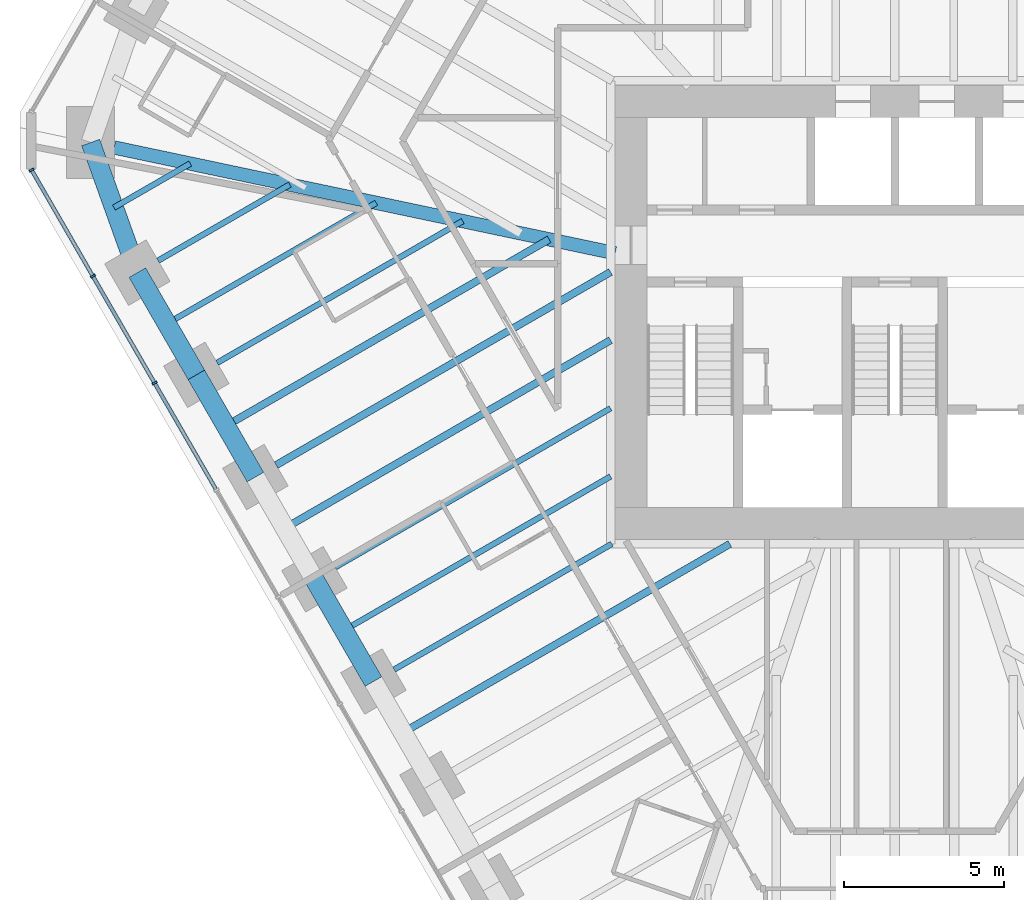
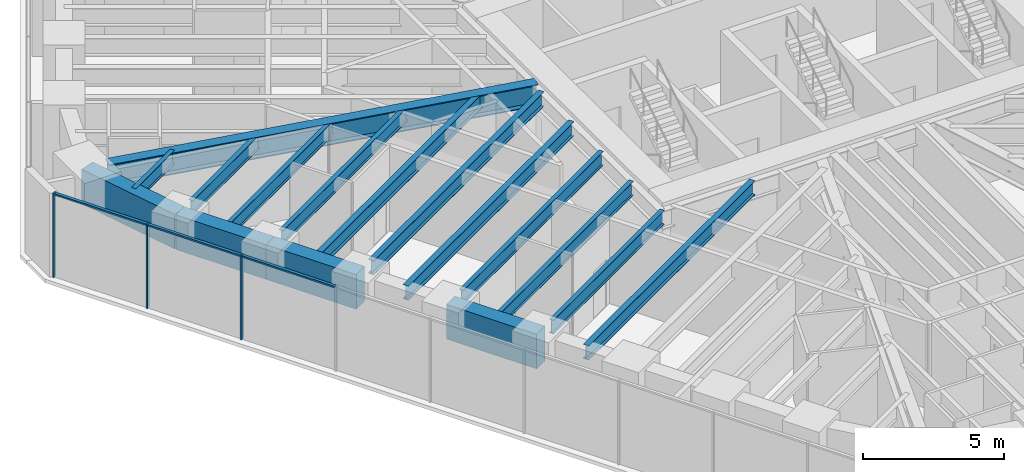
# One storey, part 3 of 16: 16 beams, 6 members, 1 element without a shape of its own.
"""IFC4 building model written with IfcOpenShell, lengths in metres."""

from ifc_helpers import new_model, si_unit, direction, frame, origin, origin_2d, place, context, subcontext, project, spatial, rectangle, i_section, extrude, material, material_profile, profile_set, type_object, element, aggregate, save


model = new_model("IFC4")

# Units and contexts
model_context = context("Model", 3, precision=1e-05, world=origin(), true_north=direction((0.0, 1.0)))
body_context = subcontext(model_context, "Body", "Model", "MODEL_VIEW")
ifc_project = project(units=[si_unit("LENGTHUNIT", "METRE"), si_unit("AREAUNIT", "SQUARE_METRE"), si_unit("VOLUMEUNIT", "CUBIC_METRE"), si_unit("PLANEANGLEUNIT", "RADIAN"), si_unit("MASSUNIT", "GRAM", prefix="KILO")], contexts=[model_context])

# Site, building, storey
site_placement = place(None, origin())
site = spatial("IfcSite", under=ifc_project, at=site_placement, CompositionType="ELEMENT")
building_placement = place(site_placement, origin())
building = spatial("IfcBuilding", under=site, at=building_placement, Name="Sandreach Pilgrim Tower", CompositionType="ELEMENT")
storey_placement = place(building_placement, frame((0.0, 0.0, 209.800048828125)))
storey = spatial("IfcBuildingStorey", under=building, at=storey_placement, Name="L52", CompositionType="ELEMENT", Elevation=209.800048828125)

# Curtain wall, members
ifc_material_1 = material(Name="Aluminium framed curtain wall", Category="aluminium")
curtain_wall_type = type_object("IfcCurtainWallType", Name="Upper hotel tower curtain wall", PredefinedType="NOTDEFINED", material=ifc_material_1)
curtain_wall_placement = place(storey_placement, origin())
curtain_wall = element("IfcCurtainWall", 1, at=curtain_wall_placement, inside=storey, type_object=curtain_wall_type, Name="CW-3 L52 SW", PredefinedType="NOTDEFINED")
ifc_material_2 = material(Name="Aluminium extrusion", Category="aluminium")
ifc_material_profile_1 = material_profile(ifc_material_2, rectangle(XDim=0.06494140625, YDim=0.159912109375, at=origin_2d()), Name="CW-3M 65X160")
ifc_profile_set_1 = profile_set([ifc_material_profile_1], Name="Aluminium extrusion")
member_type_1 = type_object("IfcMemberType", Name="CW-3 mullion", PredefinedType="MULLION", material=ifc_profile_set_1)
member_1_placement = place(storey_placement, frame((-23.15576171875, -2.21337890625, 0.0), z_axis=(0.0, 0.0, 1.0), x_axis=(-0.5, 0.866025403784, 0.0)))
member_1 = element("IfcMember", 2, at=member_1_placement, type_object=member_type_1, Name="CW-3 mullion 8", PredefinedType="MULLION", context=body_context, shape_type="SweptSolid", body=[
    extrude(rectangle(XDim=0.06494140625, YDim=0.159912109375, at=origin_2d()), origin(), (0.0, 0.0, 1.0), 3.639892578125),
])
member_2_placement = place(storey_placement, frame((-25.087890625, 1.13330078125, 0.0), z_axis=(0.0, 0.0, 1.0), x_axis=(-0.5, 0.866025403784, 0.0)))
member_2 = element("IfcMember", 3, at=member_2_placement, type_object=member_type_1, Name="CW-3 mullion 9", PredefinedType="MULLION", context=body_context, shape_type="SweptSolid", body=[
    extrude(rectangle(XDim=0.06494140625, YDim=0.159912109375, at=origin_2d()), origin(), (0.0, 0.0, 1.0), 3.639892578125),
])
member_3_placement = place(storey_placement, frame((-27.00390625, 4.451904296875, 0.0), z_axis=(0.0, 0.0, 1.0), x_axis=(-0.5, 0.866025403784, 0.0)))
member_3 = element("IfcMember", 4, at=member_3_placement, type_object=member_type_1, Name="CW-3 mullion 10", PredefinedType="MULLION", context=body_context, shape_type="SweptSolid", body=[
    extrude(rectangle(XDim=0.06494140625, YDim=0.159912109375, at=origin_2d()), origin(), (0.0, 0.0, 1.0), 3.639892578125),
])
ifc_material_3 = material(Name="Aluminium extrusion", Category="aluminium")
ifc_material_profile_2 = material_profile(ifc_material_3, rectangle(XDim=0.1201171875, YDim=0.070068359375, at=origin_2d()), Name="CW-3T 120X70")
ifc_profile_set_2 = profile_set([ifc_material_profile_2], Name="Aluminium extrusion")
member_type_2 = type_object("IfcMemberType", Name="CW-3 transom", PredefinedType="USERDEFINED", material=ifc_profile_set_2)
member_4_placement = place(storey_placement, frame((-21.23974609375, -5.531982421875, 3.60498046875), z_axis=(-0.499974606132, 0.866040064445, 0.0), x_axis=(-0.866040064445, -0.499974606132, 0.0)))
member_4 = element("IfcMember", 5, at=member_4_placement, type_object=member_type_2, Name="CW-3 head transom 7", ObjectType="TRANSOM", PredefinedType="USERDEFINED", context=body_context, shape_type="SweptSolid", body=[
    extrude(rectangle(XDim=0.1201171875, YDim=0.070068359375, at=origin_2d()), origin(), (0.0, 0.0, 1.0), 3.799560546875),
])
member_5_placement = place(storey_placement, frame((-23.171875, -2.185302734375, 3.60498046875), z_axis=(-0.500022797313, 0.86601224135, 0.0), x_axis=(-0.86601224135, -0.500022797313, 0.0)))
member_5 = element("IfcMember", 6, at=member_5_placement, type_object=member_type_2, Name="CW-3 head transom 8", ObjectType="TRANSOM", PredefinedType="USERDEFINED", context=body_context, shape_type="SweptSolid", body=[
    extrude(rectangle(XDim=0.1201171875, YDim=0.070068359375, at=origin_2d()), origin(), (0.0, 0.0, 1.0), 3.799560546875),
])
member_6_placement = place(storey_placement, frame((-25.104248046875, 1.161376953125, 3.60498046875), z_axis=(-0.499944992379, 0.86605716012, 0.0), x_axis=(-0.86605716012, -0.499944992379, 0.0)))
member_6 = element("IfcMember", 7, at=member_6_placement, type_object=member_type_2, Name="CW-3 head transom 9", ObjectType="TRANSOM", PredefinedType="USERDEFINED", context=body_context, shape_type="SweptSolid", body=[
    extrude(rectangle(XDim=0.1201171875, YDim=0.070068359375, at=origin_2d()), origin(), (0.0, 0.0, 1.0), 3.76708984375),
])
aggregate(curtain_wall, [member_1, member_2, member_3, member_4, member_5, member_6])

# Beams
ifc_material_4 = material(Name="Steel ASTM A992 Grade 50", Category="steel")
ifc_material_profile_3 = material_profile(ifc_material_4, i_section(OverallWidth=0.421630859375, OverallDepth=0.937255859375, WebThickness=0.0224609375, FlangeThickness=0.039794921875, at=origin_2d()), Name="W36X282")
ifc_profile_set_3 = profile_set([ifc_material_profile_3], Name="Steel ASTM A992 Grade 50")
beam_type_1 = type_object("IfcBeamType", Name="Corner girder W36X282", PredefinedType="BEAM", material=ifc_profile_set_3)
beam_1_placement = place(storey_placement, frame((-24.422607421875, 5.156494140625, 3.17138671875), z_axis=(0.978428978804, -0.206583478132, 0.0), x_axis=(0.206583478132, 0.978428978804, 0.0)))
element("IfcBeam", 8, at=beam_1_placement, inside=storey, type_object=beam_type_1, Name="BM L52 CG35", PredefinedType="BEAM", context=body_context, shape_type="SweptSolid", body=[
    extrude(i_section(OverallWidth=0.421630859375, OverallDepth=0.937255859375, WebThickness=0.0224609375, FlangeThickness=0.039794921875, at=origin_2d()), origin(), (0.0, 0.0, 1.0), 16.01806640625),
])
ifc_material_5 = material(Name="Steel ASTM A992 Grade 50", Category="steel")
ifc_material_profile_4 = material_profile(ifc_material_5, i_section(OverallWidth=0.1787109375, OverallDepth=0.60205078125, WebThickness=0.010986328125, FlangeThickness=0.014892578125, at=origin_2d()), Name="W24X62")
ifc_profile_set_4 = profile_set([ifc_material_profile_4], Name="Steel ASTM A992 Grade 50")
beam_type_2 = type_object("IfcBeamType", Name="Floor beam W24X62", PredefinedType="BEAM", material=ifc_profile_set_4)
beam_2_placement = place(storey_placement, frame((-15.661376953125, -11.173828125, 3.3388671875), z_axis=(0.866038711524, 0.49997694961, 0.0), x_axis=(-0.49997694961, 0.866038711524, 0.0)))
element("IfcBeam", 9, at=beam_2_placement, inside=storey, type_object=beam_type_2, Name="BM L52 F30", PredefinedType="BEAM", context=body_context, shape_type="SweptSolid", body=[
    extrude(i_section(OverallWidth=0.1787109375, OverallDepth=0.60205078125, WebThickness=0.010986328125, FlangeThickness=0.014892578125, at=origin_2d()), origin(), (0.0, 0.0, 1.0), 7.861083984375),
])
beam_3_placement = place(storey_placement, frame((-17.507568359375, -7.97607421875, 3.3388671875), z_axis=(0.866027815265, 0.499995823171, 0.0), x_axis=(-0.499995823171, 0.866027815265, 0.0)))
element("IfcBeam", 10, at=beam_3_placement, inside=storey, type_object=beam_type_2, Name="BM L52 F31", PredefinedType="BEAM", context=body_context, shape_type="SweptSolid", body=[
    extrude(i_section(OverallWidth=0.1787109375, OverallDepth=0.60205078125, WebThickness=0.010986328125, FlangeThickness=0.014892578125, at=origin_2d()), origin(), (0.0, 0.0, 1.0), 9.94677734375),
])
beam_4_placement = place(storey_placement, frame((-21.2001953125, -1.58056640625, 3.3388671875), z_axis=(0.866027448082, 0.499996459156, 0.0), x_axis=(-0.499996459156, 0.866027448082, 0.0)))
element("IfcBeam", 11, at=beam_4_placement, inside=storey, type_object=beam_type_2, Name="BM L52 F33", PredefinedType="BEAM", context=body_context, shape_type="SweptSolid", body=[
    extrude(i_section(OverallWidth=0.1787109375, OverallDepth=0.60205078125, WebThickness=0.010986328125, FlangeThickness=0.014892578125, at=origin_2d()), origin(), (0.0, 0.0, 1.0), 8.86962890625),
])
beam_5_placement = place(storey_placement, frame((-23.04638671875, 1.6171875, 3.3388671875), z_axis=(0.86603347311, 0.499986023258, 0.0), x_axis=(-0.499986023258, 0.86603347311, 0.0)))
element("IfcBeam", 12, at=beam_5_placement, inside=storey, type_object=beam_type_2, Name="BM L52 F34", PredefinedType="BEAM", context=body_context, shape_type="SweptSolid", body=[
    extrude(i_section(OverallWidth=0.1787109375, OverallDepth=0.60205078125, WebThickness=0.010986328125, FlangeThickness=0.014892578125, at=origin_2d()), origin(), (0.0, 0.0, 1.0), 4.757568359375),
])
beam_6_placement = place(storey_placement, frame((-17.23388671875, -9.949951171875, 3.3388671875), z_axis=(0.866025593094, 0.499999672107, 0.0), x_axis=(-0.499999672107, 0.866025593094, 0.0)))
element("IfcBeam", 13, at=beam_6_placement, inside=storey, type_object=beam_type_2, Name="BM L52 FM30", PredefinedType="BEAM", context=body_context, shape_type="SweptSolid", body=[
    extrude(i_section(OverallWidth=0.1787109375, OverallDepth=0.60205078125, WebThickness=0.010986328125, FlangeThickness=0.014892578125, at=origin_2d()), origin(), (0.0, 0.0, 1.0), 9.630859375),
])
beam_7_placement = place(storey_placement, frame((-22.772705078125, -0.356689453125, 3.3388671875), z_axis=(0.866029704776, 0.49999255039, 0.0), x_axis=(-0.49999255039, 0.866029704776, 0.0)))
element("IfcBeam", 14, at=beam_7_placement, inside=storey, type_object=beam_type_2, Name="BM L52 FM33", PredefinedType="BEAM", context=body_context, shape_type="SweptSolid", body=[
    extrude(i_section(OverallWidth=0.1787109375, OverallDepth=0.60205078125, WebThickness=0.010986328125, FlangeThickness=0.014892578125, at=origin_2d()), origin(), (0.0, 0.0, 1.0), 7.5634765625),
])
beam_8_placement = place(storey_placement, frame((-24.42626953125, 3.27685546875, 3.3388671875), z_axis=(0.866046803606, 0.49996293259, 0.0), x_axis=(-0.49996293259, 0.866046803606, 0.0)))
element("IfcBeam", 15, at=beam_8_placement, inside=storey, type_object=beam_type_2, Name="BM L52 FM34", PredefinedType="BEAM", context=body_context, shape_type="SweptSolid", body=[
    extrude(i_section(OverallWidth=0.1787109375, OverallDepth=0.60205078125, WebThickness=0.010986328125, FlangeThickness=0.014892578125, at=origin_2d()), origin(), (0.0, 0.0, 1.0), 2.753662109375),
])
ifc_material_6 = material(Name="Steel ASTM A992 Grade 50", Category="steel")
ifc_material_profile_5 = material_profile(ifc_material_6, i_section(OverallWidth=0.23046875, OverallDepth=0.6171875, WebThickness=0.01318359375, FlangeThickness=0.022216796875, at=origin_2d()), Name="W24X94")
ifc_profile_set_5 = profile_set([ifc_material_profile_5], Name="Steel ASTM A992 Grade 50")
beam_type_3 = type_object("IfcBeamType", Name="Floor beam W24X94", PredefinedType="BEAM", material=ifc_profile_set_5)
beam_9_placement = place(storey_placement, frame((-19.353759765625, -4.7783203125, 3.331298828125), z_axis=(0.866026713419, 0.49999773164, 0.0), x_axis=(-0.49999773164, 0.866026713419, 0.0)))
element("IfcBeam", 16, at=beam_9_placement, inside=storey, type_object=beam_type_3, Name="BM L52 F32", PredefinedType="BEAM", context=body_context, shape_type="SweptSolid", body=[
    extrude(i_section(OverallWidth=0.23046875, OverallDepth=0.6171875, WebThickness=0.01318359375, FlangeThickness=0.022216796875, at=origin_2d()), origin(), (0.0, 0.0, 1.0), 12.07861328125),
])
beam_10_placement = place(storey_placement, frame((-15.3876953125, -13.14794921875, 3.331298828125), z_axis=(0.866022050506, 0.500005808004, 0.0), x_axis=(-0.500005808004, 0.866022050506, 0.0)))
element("IfcBeam", 17, at=beam_10_placement, inside=storey, type_object=beam_type_3, Name="BM L52 FM29", PredefinedType="BEAM", context=body_context, shape_type="SweptSolid", body=[
    extrude(i_section(OverallWidth=0.23046875, OverallDepth=0.6171875, WebThickness=0.01318359375, FlangeThickness=0.022216796875, at=origin_2d()), origin(), (0.0, 0.0, 1.0), 11.808837890625),
])
beam_11_placement = place(storey_placement, frame((-19.080322265625, -6.752197265625, 3.331298828125), z_axis=(0.866030053141, 0.499991946992, 0.0), x_axis=(-0.499991946992, 0.866030053141, 0.0)))
element("IfcBeam", 18, at=beam_11_placement, inside=storey, type_object=beam_type_3, Name="BM L52 FM31", PredefinedType="BEAM", context=body_context, shape_type="SweptSolid", body=[
    extrude(i_section(OverallWidth=0.23046875, OverallDepth=0.6171875, WebThickness=0.01318359375, FlangeThickness=0.022216796875, at=origin_2d()), origin(), (0.0, 0.0, 1.0), 11.762939453125),
])
beam_12_placement = place(storey_placement, frame((-20.926513671875, -3.554443359375, 3.331298828125), z_axis=(0.866026454974, 0.499998179282, 0.0), x_axis=(-0.499998179282, 0.866026454974, 0.0)))
element("IfcBeam", 19, at=beam_12_placement, inside=storey, type_object=beam_type_3, Name="BM L52 FM32", PredefinedType="BEAM", context=body_context, shape_type="SweptSolid", body=[
    extrude(i_section(OverallWidth=0.23046875, OverallDepth=0.6171875, WebThickness=0.01318359375, FlangeThickness=0.022216796875, at=origin_2d()), origin(), (0.0, 0.0, 1.0), 11.67578125),
])
ifc_material_7 = material(Name="Concrete 10000 psi", Category="concrete")
ifc_material_profile_6 = material_profile(ifc_material_7, rectangle(XDim=0.60009765625, YDim=1.5, at=origin_2d()), Name="RC600X1500")
ifc_profile_set_6 = profile_set([ifc_material_profile_6], Name="Concrete 10000 psi")
beam_type_4 = type_object("IfcBeamType", Name="Spandrel beam RC600X1500", PredefinedType="SPANDREL", material=ifc_profile_set_6)
beam_13_placement = place(storey_placement, frame((-16.310791015625, -11.548828125, 2.889892578125), z_axis=(-0.500042951019, 0.866000604582, 0.0), x_axis=(-0.866000604582, -0.500042951019, 0.0)))
element("IfcBeam", 20, at=beam_13_placement, inside=storey, type_object=beam_type_4, Name="BM L52 SP30", PredefinedType="SPANDREL", context=body_context, shape_type="SweptSolid", body=[
    extrude(rectangle(XDim=0.60009765625, YDim=1.5, at=origin_2d()), origin(), (0.0, 0.0, 1.0), 3.692626953125),
])
for number, where, z_axis, x_axis, name in (
    (21, (-20.00341796875, -5.1533203125, 2.889892578125), (-0.499993363642, 0.866029235253, 0.0), (-0.866029235253, -0.499993363642, 0.0), "BM L52 SP32"),
    (22, (-21.849609375, -1.95556640625, 2.889892578125), (-0.499993363642, 0.866029235253, 0.0), (-0.866029235253, -0.499993363642, 0.0), "BM L52 SP33"),
):
    element("IfcBeam", number, at=place(storey_placement, frame(where, z_axis=z_axis, x_axis=x_axis)), inside=storey, type_object=beam_type_4, Name=name, PredefinedType="SPANDREL", context=body_context, shape_type="SweptSolid", body=[
        extrude(rectangle(XDim=0.60009765625, YDim=1.5, at=origin_2d()), origin(), (0.0, 0.0, 1.0), 3.6923828125),
    ])
beam_14_placement = place(storey_placement, frame((-23.69580078125, 1.2421875, 2.889892578125), z_axis=(-0.337863470932, 0.941195131208, 0.0), x_axis=(-0.941195131208, -0.337863470932, 0.0)))
element("IfcBeam", 23, at=beam_14_placement, inside=storey, type_object=beam_type_4, Name="BM L52 SP34", PredefinedType="SPANDREL", context=body_context, shape_type="SweptSolid", body=[
    extrude(rectangle(XDim=0.60009765625, YDim=1.5, at=origin_2d()), origin(), (0.0, 0.0, 1.0), 4.3232421875),
])

save(model, "model.ifc")
